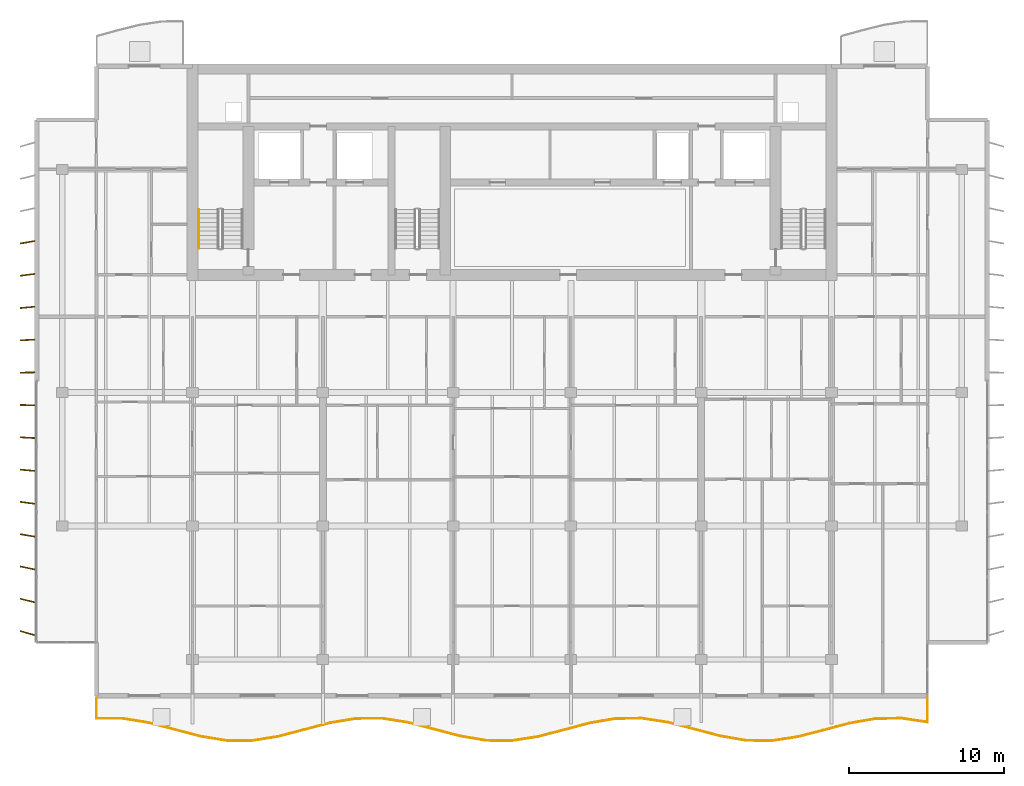
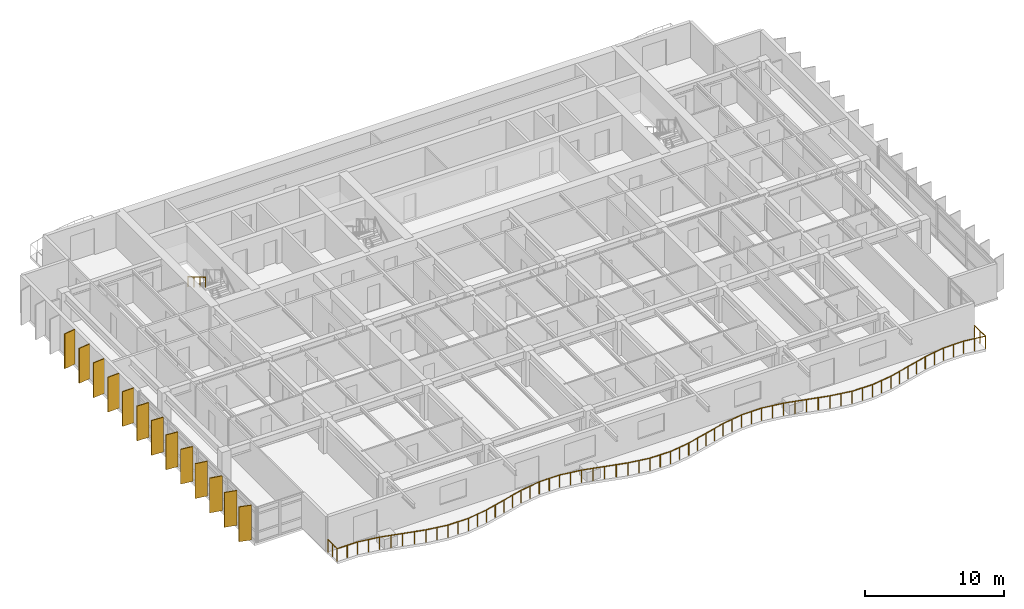
# One storey, part 14 of 19: 13 shading devices, 2 railings.
"""IFC4 building model written with IfcOpenShell, lengths in metres."""

from ifc_helpers import new_model, si_unit, direction, frame, origin, origin_2d, place, context, subcontext, project, spatial, rectangle, circle, extrude, material, material_profile, profile_set, type_object, element, save


model = new_model("IFC4")

# Units and contexts
model_context = context("Model", 3, precision=1e-05, world=origin(), true_north=direction((0.0, 1.0)))
body_context = subcontext(model_context, "Body", "Model", "MODEL_VIEW")
ifc_project = project(units=[si_unit("LENGTHUNIT", "METRE"), si_unit("AREAUNIT", "SQUARE_METRE"), si_unit("VOLUMEUNIT", "CUBIC_METRE"), si_unit("PLANEANGLEUNIT", "RADIAN"), si_unit("MASSUNIT", "GRAM", prefix="KILO")], contexts=[model_context])

# Site, building, storey
site_placement = place(None, origin())
site = spatial("IfcSite", under=ifc_project, at=site_placement, CompositionType="ELEMENT")
building_placement = place(site_placement, origin())
building = spatial("IfcBuilding", under=site, at=building_placement, Name="Caelmar Bay Residences", CompositionType="ELEMENT")
storey_placement = place(building_placement, frame((0.0, 0.0, 256.199951171875)))
storey = spatial("IfcBuildingStorey", under=building, at=storey_placement, Name="L72", CompositionType="ELEMENT", Elevation=256.199951171875)

# Railings
ifc_material_1 = material(Name="Anodised bronze handrail with laminated hurricane glass infill", Category="glass")
railing_type_1 = type_object("IfcRailingType", Name="RL-BAL-1100", PredefinedType="BALUSTRADE", material=ifc_material_1)
railing_1_placement = place(storey_placement, frame((12.10009765625, 9.699951171875, 0.0)))
element("IfcRailing", 1, at=railing_1_placement, inside=storey, type_object=railing_type_1, Name="L72 south Balcony Balustrade", PredefinedType="BALUSTRADE", context=body_context, shape_type="SweptSolid", body=[
    extrude(circle(Radius=0.02392578125, at=origin_2d()), frame((0.0, 0.0, 1.076171875), z_axis=(0.0, -1.0, 0.0), x_axis=(1.0, 0.0, 0.0)), (0.0, 0.0, 1.0), 1.306640625),
    extrude(circle(Radius=0.02392578125, at=origin_2d()), frame((0.0, -1.306640625, 1.076171875), z_axis=(0.999999957501, 0.000291545177, 0.0), x_axis=(-0.000291545177, 0.999999957501, 0.0)), (0.0, 0.0, 1.0), 1.6748046875),
    extrude(circle(Radius=0.02392578125, at=origin_2d()), frame((1.6748046875, -1.30615234375, 1.076171875), z_axis=(0.987187071034, -0.1595671858, 0.0), x_axis=(0.1595671858, 0.987187071034, 0.0)), (0.0, 0.0, 1.0), 1.69677734375),
    extrude(circle(Radius=0.02392578125, at=origin_2d()), frame((3.349853515625, -1.576904296875, 1.076171875), z_axis=(0.967335189045, -0.25350075352, 0.0), x_axis=(0.25350075352, 0.967335189045, 0.0)), (0.0, 0.0, 1.0), 1.731689453125),
    extrude(circle(Radius=0.02392578125, at=origin_2d()), frame((5.02490234375, -2.015869140625, 1.076171875), z_axis=(0.967127467675, -0.25429207866, 0.0), x_axis=(0.25429207866, 0.967127467675, 0.0)), (0.0, 0.0, 1.0), 1.73193359375),
    extrude(circle(Radius=0.02392578125, at=origin_2d()), frame((6.699951171875, -2.456298828125, 1.076171875), z_axis=(0.986822018183, -0.161809469531, 0.0), x_axis=(0.161809469531, 0.986822018183, 0.0)), (0.0, 0.0, 1.0), 1.697509765625),
    extrude(circle(Radius=0.02392578125, at=origin_2d()), frame((8.375, -2.73095703125, 1.076171875), z_axis=(0.999995750097, -0.002915439505, 0.0), x_axis=(0.002915439505, 0.999995750097, 0.0)), (0.0, 0.0, 1.0), 1.6748046875),
    extrude(circle(Radius=0.02392578125, at=origin_2d()), frame((10.0498046875, -2.73583984375, 1.076171875), z_axis=(0.987524919692, 0.157462798738, 0.0), x_axis=(-0.157462798738, 0.987524919692, 0.0)), (0.0, 0.0, 1.0), 1.6962890625),
    extrude(circle(Radius=0.02392578125, at=origin_2d()), frame((11.724853515625, -2.46875, 1.076171875), z_axis=(0.967542351628, 0.252708919125, 0.0), x_axis=(-0.252708919125, 0.967542351628, 0.0)), (0.0, 0.0, 1.0), 1.731201171875),
    extrude(circle(Radius=0.02392578125, at=origin_2d()), frame((13.39990234375, -2.03125, 1.076171875), z_axis=(0.966919188711, 0.255082893393, 0.0), x_axis=(-0.255082893393, 0.966919188711, 0.0)), (0.0, 0.0, 1.0), 1.732421875),
    extrude(circle(Radius=0.02392578125, at=origin_2d()), frame((15.074951171875, -1.58935546875, 1.076171875), z_axis=(0.986475407243, 0.163909337452, 0.0), x_axis=(-0.163909337452, 0.986475407243, 0.0)), (0.0, 0.0, 1.0), 1.697998046875),
    extrude(circle(Radius=0.02392578125, at=origin_2d()), frame((16.75, -1.31103515625, 1.076171875), z_axis=(0.999985454932, 0.005393507556, 0.0), x_axis=(-0.005393507556, 0.999985454932, 0.0)), (0.0, 0.0, 1.0), 1.6748046875),
    extrude(circle(Radius=0.02392578125, at=origin_2d()), frame((18.4248046875, -1.302001953125, 1.076171875), z_axis=(0.987836401273, -0.155496766269, 0.0), x_axis=(0.155496766269, 0.987836401273, 0.0)), (0.0, 0.0, 1.0), 1.695556640625),
    extrude(circle(Radius=0.02392578125, at=origin_2d()), frame((20.099853515625, -1.565673828125, 1.076171875), z_axis=(0.967748954233, -0.25191657663, 0.0), x_axis=(0.25191657663, 0.967748954233, 0.0)), (0.0, 0.0, 1.0), 1.73095703125),
    extrude(circle(Radius=0.02392578125, at=origin_2d()), frame((21.77490234375, -2.001708984375, 1.076171875), z_axis=(0.966745197832, -0.255741514949, 0.0), x_axis=(0.255741514949, 0.966745197832, 0.0)), (0.0, 0.0, 1.0), 1.732666015625),
    extrude(circle(Radius=0.02392578125, at=origin_2d()), frame((23.449951171875, -2.44482421875, 1.076171875), z_axis=(0.986148097288, -0.165867206569, 0.0), x_axis=(0.165867206569, 0.986148097288, 0.0)), (0.0, 0.0, 1.0), 1.698486328125),
    extrude(circle(Radius=0.02392578125, at=origin_2d()), frame((25.125, -2.7265625, 1.076171875), z_axis=(0.999969019451, -0.007871476246, 0.0), x_axis=(0.007871476246, 0.999969019451, 0.0)), (0.0, 0.0, 1.0), 1.6748046875),
    extrude(circle(Radius=0.02392578125, at=origin_2d()), frame((26.7998046875, -2.73974609375, 1.076171875), z_axis=(0.988166000447, 0.153388251053, 0.0), x_axis=(-0.153388251053, 0.988166000447, 0.0)), (0.0, 0.0, 1.0), 1.695068359375),
    extrude(circle(Radius=0.02392578125, at=origin_2d()), frame((28.474853515625, -2.479736328125, 1.076171875), z_axis=(0.967954995668, 0.251123727196, 0.0), x_axis=(-0.251123727196, 0.967954995668, 0.0)), (0.0, 0.0, 1.0), 1.73046875),
    extrude(circle(Radius=0.02392578125, at=origin_2d()), frame((30.14990234375, -2.045166015625, 1.076171875), z_axis=(0.966570821259, 0.256399780599, 0.0), x_axis=(-0.256399780599, 0.966570821259, 0.0)), (0.0, 0.0, 1.0), 1.73291015625),
    extrude(circle(Radius=0.02392578125, at=origin_2d()), frame((31.824951171875, -1.600830078125, 1.076171875), z_axis=(0.985840886047, 0.16768347384, 0.0), x_axis=(-0.16768347384, 0.985840886047, 0.0)), (0.0, 0.0, 1.0), 1.69921875),
    extrude(circle(Radius=0.02392578125, at=origin_2d()), frame((33.5, -1.31591796875, 1.076171875), z_axis=(0.999943385117, 0.010640796955, 0.0), x_axis=(-0.010640796955, 0.999943385117, 0.0)), (0.0, 0.0, 1.0), 1.6748046875),
    extrude(circle(Radius=0.02392578125, at=origin_2d()), frame((35.1748046875, -1.298095703125, 1.076171875), z_axis=(0.988491313086, -0.151277638645, 0.0), x_axis=(0.151277638645, 0.988491313086, 0.0)), (0.0, 0.0, 1.0), 1.694580078125),
    extrude(circle(Radius=0.02392578125, at=origin_2d()), frame((36.849853515625, -1.554443359375, 1.076171875), z_axis=(0.968126267336, -0.250462632928, 0.0), x_axis=(0.250462632928, 0.968126267336, 0.0)), (0.0, 0.0, 1.0), 1.730224609375),
    extrude(circle(Radius=0.02392578125, at=origin_2d()), frame((38.52490234375, -1.98779296875, 1.076171875), z_axis=(0.966431042766, -0.256926136424, 0.0), x_axis=(0.256926136424, 0.966431042766, 0.0)), (0.0, 0.0, 1.0), 1.733154296875),
    extrude(circle(Radius=0.02392578125, at=origin_2d()), frame((40.199951171875, -2.43310546875, 1.076171875), z_axis=(0.985482498387, -0.169777046071, 0.0), x_axis=(0.169777046071, 0.985482498387, 0.0)), (0.0, 0.0, 1.0), 1.69970703125),
    extrude(circle(Radius=0.02392578125, at=origin_2d()), frame((41.875, -2.7216796875, 1.076171875), z_axis=(0.999913950028, -0.013118404592, 0.0), x_axis=(0.013118404592, 0.999913950028, 0.0)), (0.0, 0.0, 1.0), 1.675048828125),
    extrude(circle(Radius=0.02392578125, at=origin_2d()), frame((43.5498046875, -2.74365234375, 1.076171875), z_axis=(0.988812326049, 0.149164955176, 0.0), x_axis=(-0.149164955176, 0.988812326049, 0.0)), (0.0, 0.0, 1.0), 1.694091796875),
    extrude(circle(Radius=0.02392578125, at=origin_2d()), frame((45.224853515625, -2.490966796875, 1.076171875), z_axis=(0.96836539028, 0.249536512173, 0.0), x_axis=(-0.249536512173, 0.96836539028, 0.0)), (0.0, 0.0, 1.0), 1.729736328125),
    extrude(circle(Radius=0.02392578125, at=origin_2d()), frame((46.89990234375, -2.059326171875, 1.076171875), z_axis=(0.966220913805, 0.257715241548, 0.0), x_axis=(-0.257715241548, 0.966220913805, 0.0)), (0.0, 0.0, 1.0), 1.733642578125),
    extrude(circle(Radius=0.02392578125, at=origin_2d()), frame((48.574951171875, -1.612548828125, 1.076171875), z_axis=(0.985168514867, 0.171589618899, 0.0), x_axis=(-0.171589618899, 0.985168514867, 0.0)), (0.0, 0.0, 1.0), 1.7001953125),
    extrude(circle(Radius=0.02392578125, at=origin_2d()), frame((50.25, -1.32080078125, 1.076171875), z_axis=(0.999876095077, 0.015741489543, 0.0), x_axis=(-0.015741489543, 0.999876095077, 0.0)), (0.0, 0.0, 1.0), 1.675048828125),
    extrude(circle(Radius=0.02392578125, at=origin_2d()), frame((51.9248046875, -1.29443359375, 1.076171875), z_axis=(0.989108047425, -0.147191271888, 0.0), x_axis=(0.147191271888, 0.989108047425, 0.0)), (0.0, 0.0, 1.0), 1.693603515625),
    extrude(circle(Radius=0.02392578125, at=origin_2d()), frame((53.599853515625, -1.543701171875, 1.076171875), z_axis=(0.0, 1.0, 0.0), x_axis=(-1.0, 0.0, 0.0)), (0.0, 0.0, 1.0), 1.543701171875),
    extrude(circle(Radius=0.02099609375, at=origin_2d()), origin(), (0.0, 0.0, 1.0), 1.052001953125),
    extrude(circle(Radius=0.02099609375, at=origin_2d()), frame((0.0, -0.6533203125, 0.0)), (0.0, 0.0, 1.0), 1.052001953125),
    extrude(circle(Radius=0.02099609375, at=origin_2d()), frame((0.0, -1.306640625, 0.0)), (0.0, 0.0, 1.0), 1.052001953125),
    extrude(circle(Radius=0.02099609375, at=origin_2d()), frame((0.83740234375, -1.306396484375, 0.0)), (0.0, 0.0, 1.0), 1.052001953125),
    extrude(circle(Radius=0.02099609375, at=origin_2d()), frame((1.6748046875, -1.30615234375, 0.0)), (0.0, 0.0, 1.0), 1.052001953125),
    extrude(circle(Radius=0.02099609375, at=origin_2d()), frame((2.51220703125, -1.44140625, 0.0)), (0.0, 0.0, 1.0), 1.052001953125),
    extrude(circle(Radius=0.02099609375, at=origin_2d()), frame((3.349853515625, -1.576904296875, 0.0)), (0.0, 0.0, 1.0), 1.052001953125),
    extrude(circle(Radius=0.02099609375, at=origin_2d()), frame((4.1875, -1.79638671875, 0.0)), (0.0, 0.0, 1.0), 1.052001953125),
    extrude(circle(Radius=0.02099609375, at=origin_2d()), frame((5.02490234375, -2.015869140625, 0.0)), (0.0, 0.0, 1.0), 1.052001953125),
    extrude(circle(Radius=0.02099609375, at=origin_2d()), frame((5.8623046875, -2.236083984375, 0.0)), (0.0, 0.0, 1.0), 1.052001953125),
    extrude(circle(Radius=0.02099609375, at=origin_2d()), frame((6.699951171875, -2.456298828125, 0.0)), (0.0, 0.0, 1.0), 1.052001953125),
    extrude(circle(Radius=0.02099609375, at=origin_2d()), frame((7.53759765625, -2.59375, 0.0)), (0.0, 0.0, 1.0), 1.052001953125),
    extrude(circle(Radius=0.02099609375, at=origin_2d()), frame((8.375, -2.73095703125, 0.0)), (0.0, 0.0, 1.0), 1.052001953125),
    extrude(circle(Radius=0.02099609375, at=origin_2d()), frame((9.21240234375, -2.7333984375, 0.0)), (0.0, 0.0, 1.0), 1.052001953125),
    extrude(circle(Radius=0.02099609375, at=origin_2d()), frame((10.0498046875, -2.73583984375, 0.0)), (0.0, 0.0, 1.0), 1.052001953125),
    extrude(circle(Radius=0.02099609375, at=origin_2d()), frame((10.88720703125, -2.602294921875, 0.0)), (0.0, 0.0, 1.0), 1.052001953125),
    extrude(circle(Radius=0.02099609375, at=origin_2d()), frame((11.724853515625, -2.46875, 0.0)), (0.0, 0.0, 1.0), 1.052001953125),
    extrude(circle(Radius=0.02099609375, at=origin_2d()), frame((12.5625, -2.25, 0.0)), (0.0, 0.0, 1.0), 1.052001953125),
    extrude(circle(Radius=0.02099609375, at=origin_2d()), frame((13.39990234375, -2.03125, 0.0)), (0.0, 0.0, 1.0), 1.052001953125),
    extrude(circle(Radius=0.02099609375, at=origin_2d()), frame((14.2373046875, -1.810302734375, 0.0)), (0.0, 0.0, 1.0), 1.052001953125),
    extrude(circle(Radius=0.02099609375, at=origin_2d()), frame((15.074951171875, -1.58935546875, 0.0)), (0.0, 0.0, 1.0), 1.052001953125),
    extrude(circle(Radius=0.02099609375, at=origin_2d()), frame((15.91259765625, -1.4501953125, 0.0)), (0.0, 0.0, 1.0), 1.052001953125),
    extrude(circle(Radius=0.02099609375, at=origin_2d()), frame((16.75, -1.31103515625, 0.0)), (0.0, 0.0, 1.0), 1.052001953125),
    extrude(circle(Radius=0.02099609375, at=origin_2d()), frame((17.58740234375, -1.306640625, 0.0)), (0.0, 0.0, 1.0), 1.052001953125),
    extrude(circle(Radius=0.02099609375, at=origin_2d()), frame((18.4248046875, -1.302001953125, 0.0)), (0.0, 0.0, 1.0), 1.052001953125),
    extrude(circle(Radius=0.02099609375, at=origin_2d()), frame((19.26220703125, -1.433837890625, 0.0)), (0.0, 0.0, 1.0), 1.052001953125),
    extrude(circle(Radius=0.02099609375, at=origin_2d()), frame((20.099853515625, -1.565673828125, 0.0)), (0.0, 0.0, 1.0), 1.052001953125),
    extrude(circle(Radius=0.02099609375, at=origin_2d()), frame((20.9375, -1.78369140625, 0.0)), (0.0, 0.0, 1.0), 1.052001953125),
    extrude(circle(Radius=0.02099609375, at=origin_2d()), frame((21.77490234375, -2.001708984375, 0.0)), (0.0, 0.0, 1.0), 1.052001953125),
    extrude(circle(Radius=0.02099609375, at=origin_2d()), frame((22.6123046875, -2.22314453125, 0.0)), (0.0, 0.0, 1.0), 1.052001953125),
    extrude(circle(Radius=0.02099609375, at=origin_2d()), frame((23.449951171875, -2.44482421875, 0.0)), (0.0, 0.0, 1.0), 1.052001953125),
    extrude(circle(Radius=0.02099609375, at=origin_2d()), frame((24.28759765625, -2.585693359375, 0.0)), (0.0, 0.0, 1.0), 1.052001953125),
    extrude(circle(Radius=0.02099609375, at=origin_2d()), frame((25.125, -2.7265625, 0.0)), (0.0, 0.0, 1.0), 1.052001953125),
    extrude(circle(Radius=0.02099609375, at=origin_2d()), frame((25.96240234375, -2.733154296875, 0.0)), (0.0, 0.0, 1.0), 1.052001953125),
    extrude(circle(Radius=0.02099609375, at=origin_2d()), frame((26.7998046875, -2.73974609375, 0.0)), (0.0, 0.0, 1.0), 1.052001953125),
    extrude(circle(Radius=0.02099609375, at=origin_2d()), frame((27.63720703125, -2.60986328125, 0.0)), (0.0, 0.0, 1.0), 1.052001953125),
    extrude(circle(Radius=0.02099609375, at=origin_2d()), frame((28.474853515625, -2.479736328125, 0.0)), (0.0, 0.0, 1.0), 1.052001953125),
    extrude(circle(Radius=0.02099609375, at=origin_2d()), frame((29.3125, -2.262451171875, 0.0)), (0.0, 0.0, 1.0), 1.052001953125),
    extrude(circle(Radius=0.02099609375, at=origin_2d()), frame((30.14990234375, -2.045166015625, 0.0)), (0.0, 0.0, 1.0), 1.052001953125),
    extrude(circle(Radius=0.02099609375, at=origin_2d()), frame((30.9873046875, -1.822998046875, 0.0)), (0.0, 0.0, 1.0), 1.052001953125),
    extrude(circle(Radius=0.02099609375, at=origin_2d()), frame((31.824951171875, -1.600830078125, 0.0)), (0.0, 0.0, 1.0), 1.052001953125),
    extrude(circle(Radius=0.02099609375, at=origin_2d()), frame((32.66259765625, -1.45849609375, 0.0)), (0.0, 0.0, 1.0), 1.052001953125),
    extrude(circle(Radius=0.02099609375, at=origin_2d()), frame((33.5, -1.31591796875, 0.0)), (0.0, 0.0, 1.0), 1.052001953125),
    extrude(circle(Radius=0.02099609375, at=origin_2d()), frame((34.33740234375, -1.30712890625, 0.0)), (0.0, 0.0, 1.0), 1.052001953125),
    extrude(circle(Radius=0.02099609375, at=origin_2d()), frame((35.1748046875, -1.298095703125, 0.0)), (0.0, 0.0, 1.0), 1.052001953125),
    extrude(circle(Radius=0.02099609375, at=origin_2d()), frame((36.01220703125, -1.42626953125, 0.0)), (0.0, 0.0, 1.0), 1.052001953125),
    extrude(circle(Radius=0.02099609375, at=origin_2d()), frame((36.849853515625, -1.554443359375, 0.0)), (0.0, 0.0, 1.0), 1.052001953125),
    extrude(circle(Radius=0.02099609375, at=origin_2d()), frame((37.6875, -1.77099609375, 0.0)), (0.0, 0.0, 1.0), 1.052001953125),
    extrude(circle(Radius=0.02099609375, at=origin_2d()), frame((38.52490234375, -1.98779296875, 0.0)), (0.0, 0.0, 1.0), 1.052001953125),
    extrude(circle(Radius=0.02099609375, at=origin_2d()), frame((39.3623046875, -2.21044921875, 0.0)), (0.0, 0.0, 1.0), 1.052001953125),
    extrude(circle(Radius=0.02099609375, at=origin_2d()), frame((40.199951171875, -2.43310546875, 0.0)), (0.0, 0.0, 1.0), 1.052001953125),
    extrude(circle(Radius=0.02099609375, at=origin_2d()), frame((41.03759765625, -2.577392578125, 0.0)), (0.0, 0.0, 1.0), 1.052001953125),
    extrude(circle(Radius=0.02099609375, at=origin_2d()), frame((41.875, -2.7216796875, 0.0)), (0.0, 0.0, 1.0), 1.052001953125),
    extrude(circle(Radius=0.02099609375, at=origin_2d()), frame((42.71240234375, -2.732666015625, 0.0)), (0.0, 0.0, 1.0), 1.052001953125),
    extrude(circle(Radius=0.02099609375, at=origin_2d()), frame((43.5498046875, -2.74365234375, 0.0)), (0.0, 0.0, 1.0), 1.052001953125),
    extrude(circle(Radius=0.02099609375, at=origin_2d()), frame((44.38720703125, -2.6171875, 0.0)), (0.0, 0.0, 1.0), 1.052001953125),
    extrude(circle(Radius=0.02099609375, at=origin_2d()), frame((45.224853515625, -2.490966796875, 0.0)), (0.0, 0.0, 1.0), 1.052001953125),
    extrude(circle(Radius=0.02099609375, at=origin_2d()), frame((46.0625, -2.275146484375, 0.0)), (0.0, 0.0, 1.0), 1.052001953125),
    extrude(circle(Radius=0.02099609375, at=origin_2d()), frame((46.89990234375, -2.059326171875, 0.0)), (0.0, 0.0, 1.0), 1.052001953125),
    extrude(circle(Radius=0.02099609375, at=origin_2d()), frame((47.7373046875, -1.8359375, 0.0)), (0.0, 0.0, 1.0), 1.052001953125),
    extrude(circle(Radius=0.02099609375, at=origin_2d()), frame((48.574951171875, -1.612548828125, 0.0)), (0.0, 0.0, 1.0), 1.052001953125),
    extrude(circle(Radius=0.02099609375, at=origin_2d()), frame((49.41259765625, -1.466796875, 0.0)), (0.0, 0.0, 1.0), 1.052001953125),
    extrude(circle(Radius=0.02099609375, at=origin_2d()), frame((50.25, -1.32080078125, 0.0)), (0.0, 0.0, 1.0), 1.052001953125),
    extrude(circle(Radius=0.02099609375, at=origin_2d()), frame((51.08740234375, -1.3076171875, 0.0)), (0.0, 0.0, 1.0), 1.052001953125),
    extrude(circle(Radius=0.02099609375, at=origin_2d()), frame((51.9248046875, -1.29443359375, 0.0)), (0.0, 0.0, 1.0), 1.052001953125),
    extrude(circle(Radius=0.02099609375, at=origin_2d()), frame((52.76220703125, -1.4189453125, 0.0)), (0.0, 0.0, 1.0), 1.052001953125),
    extrude(circle(Radius=0.02099609375, at=origin_2d()), frame((53.599853515625, -1.543701171875, 0.0)), (0.0, 0.0, 1.0), 1.052001953125),
    extrude(circle(Radius=0.02099609375, at=origin_2d()), frame((53.599853515625, -0.77197265625, 0.0)), (0.0, 0.0, 1.0), 1.052001953125),
    extrude(circle(Radius=0.02099609375, at=origin_2d()), frame((53.599853515625, 0.0, 0.0)), (0.0, 0.0, 1.0), 1.052001953125),
])
ifc_material_2 = material(Name="Brushed bronze stainless-steel tubular handrail 900 mm", Category="steel")
railing_type_2 = type_object("IfcRailingType", Name="RL-HND-900", PredefinedType="HANDRAIL", material=ifc_material_2)
railing_2_placement = place(storey_placement, frame((18.699951171875, 41.219970703125, 1.81494140625)))
element("IfcRailing", 2, at=railing_2_placement, inside=storey, type_object=railing_type_2, Name="L72 ST1 stair handrail 2", PredefinedType="HANDRAIL", context=body_context, shape_type="SweptSolid", body=[
    extrude(circle(Radius=0.02392578125, at=origin_2d()), frame((0.0, 0.0, 0.8759765625), z_axis=(0.0, -0.86152411907, 0.507716645641), x_axis=(1.0, 0.0, 0.0)), (0.0, 0.0, 1.0), 2.925048828125),
    extrude(circle(Radius=0.02099609375, at=origin_2d()), origin(), (0.0, 0.0, 1.0), 0.851806640625),
    extrude(circle(Radius=0.02099609375, at=origin_2d()), frame((0.0, -0.840087890625, 0.4951171875)), (0.0, 0.0, 1.0), 0.851806640625),
    extrude(circle(Radius=0.02099609375, at=origin_2d()), frame((0.0, -1.679931640625, 0.989990234375)), (0.0, 0.0, 1.0), 0.851806640625),
    extrude(circle(Radius=0.02099609375, at=origin_2d()), frame((0.0, -2.52001953125, 1.485107421875)), (0.0, 0.0, 1.0), 0.851806640625),
])

# Shading devices
ifc_material_3 = material(Name="Anodised architectural bronze aluminium 6063-T6", Category="aluminium")
ifc_material_profile = material_profile(ifc_material_3, rectangle(XDim=0.074951171875, YDim=0.949951171875, at=origin_2d()), Name="BRONZE-FIN-75X950")
ifc_profile_set = profile_set([ifc_material_profile], Name="Anodised architectural bronze aluminium 6063-T6")
shading_device_type = type_object("IfcShadingDeviceType", Name="SHD-FIN-950", PredefinedType="USERDEFINED", material=ifc_profile_set)
for number, where, z_axis, x_axis, name in (
    (3, (7.64990234375, 13.89990234375, 0.0), (0.0, 0.0, 1.0), (0.275637355817, 0.961261695938, 0.0), "L72 West Bronze Solar Fin 1"),
    (4, (7.64990234375, 16.0, 0.0), (0.0, 0.0, 1.0), (0.239719743609, 0.970842131618, 0.0), "L72 West Bronze Solar Fin 2"),
    (5, (7.64990234375, 18.10009765625, 0.0), (0.0, 0.0, 1.0), (0.2032999874, 0.979116497217, 0.0), "L72 West Bronze Solar Fin 3"),
    (6, (7.64990234375, 20.199951171875, 0.0), (0.0, 0.0, 1.0), (0.166768746716, 0.985996037071, 0.0), "L72 West Bronze Solar Fin 4"),
    (7, (7.64990234375, 22.300048828125, 0.0), (0.0, 0.0, 1.0), (0.130007055036, 0.99151306882, 0.0), "L72 West Bronze Solar Fin 5"),
    (8, (7.64990234375, 24.39990234375, 0.0), (0.0, 0.0, 1.0), (0.092891934994, 0.995676196569, 0.0), "L72 West Bronze Solar Fin 6"),
    (9, (7.64990234375, 26.5, 0.0), (0.0, 0.0, 1.0), (0.055821504993, 0.998440764182, 0.0), "L72 West Bronze Solar Fin 7"),
    (10, (7.64990234375, 28.60009765625, 0.0), (0.0, 0.0, 1.0), (0.018673937509, 0.999825626826, 0.0), "L72 West Bronze Solar Fin 8"),
    (11, (7.64990234375, 30.699951171875, 0.0), (0.0, 0.0, 1.0), (-0.018673937509, 0.999825626826, 0.0), "L72 West Bronze Solar Fin 9"),
    (12, (7.64990234375, 32.800048828125, 0.0), (0.0, 0.0, 1.0), (-0.055821504993, 0.998440764182, 0.0), "L72 West Bronze Solar Fin 10"),
    (13, (7.64990234375, 34.89990234375, 0.0), (0.0, 0.0, 1.0), (-0.092891934994, 0.995676196569, 0.0), "L72 West Bronze Solar Fin 11"),
    (14, (7.64990234375, 37.0, 0.0), (0.0, 0.0, 1.0), (-0.130007055036, 0.99151306882, 0.0), "L72 West Bronze Solar Fin 12"),
    (15, (7.64990234375, 39.10009765625, 0.0), (0.0, 0.0, 1.0), (-0.166768746716, 0.985996037071, 0.0), "L72 West Bronze Solar Fin 13"),
):
    element("IfcShadingDevice", number, at=place(storey_placement, frame(where, z_axis=z_axis, x_axis=x_axis)), inside=storey, type_object=shading_device_type, Name=name, ObjectType="FIN", PredefinedType="USERDEFINED", context=body_context, shape_type="SweptSolid", body=[
        extrude(rectangle(XDim=0.074951171875, YDim=0.949951171875, at=origin_2d()), origin(), (0.0, 0.0, 1.0), 3.050048828125),
    ])

save(model, "model.ifc")
